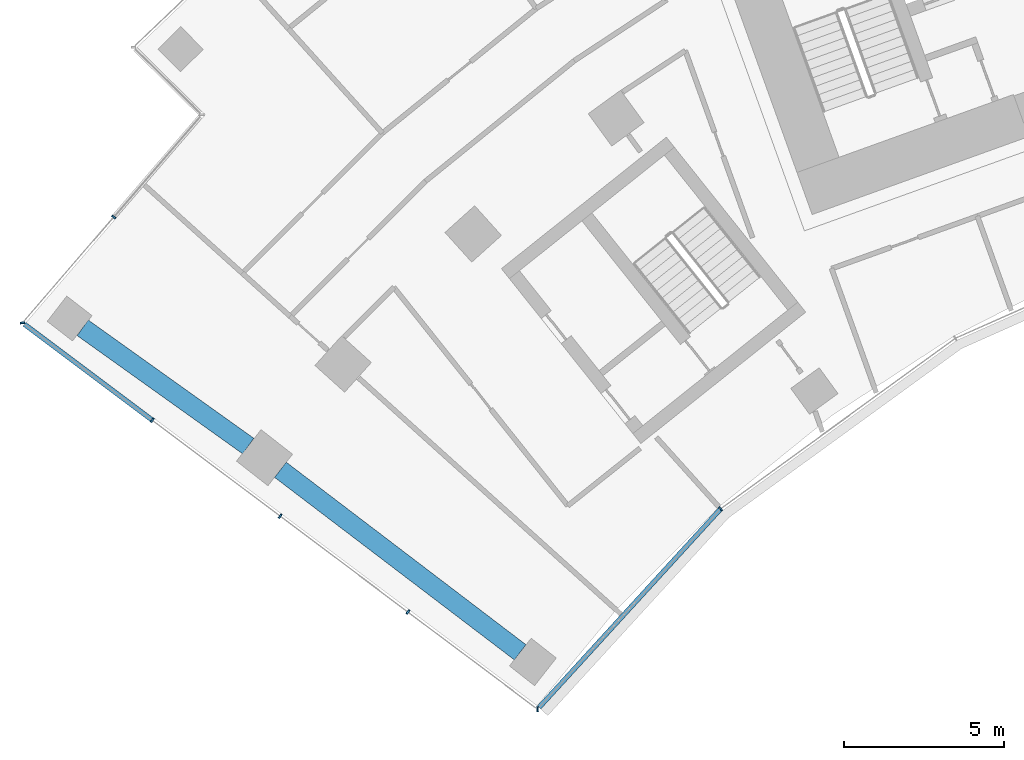
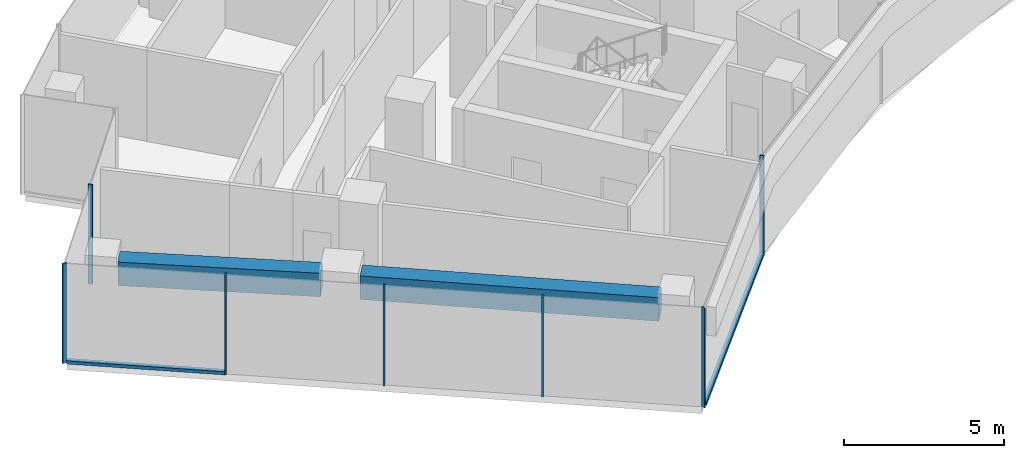
# One storey, part 2 of 20: 9 members, 2 beams, 3 elements without a shape of their own.
"""IFC4 building model written with IfcOpenShell, lengths in metres."""

from ifc_helpers import new_model, si_unit, direction, frame, origin, origin_2d, place, context, subcontext, project, spatial, rectangle, extrude, material, layer, layer_set, material_profile, profile_set, type_object, element, aggregate, save


model = new_model("IFC4")

# Units and contexts
model_context = context("Model", 3, precision=1e-05, world=origin(), true_north=direction((0.0, 1.0)))
body_context = subcontext(model_context, "Body", "Model", "MODEL_VIEW")
ifc_project = project(units=[si_unit("LENGTHUNIT", "METRE"), si_unit("AREAUNIT", "SQUARE_METRE"), si_unit("VOLUMEUNIT", "CUBIC_METRE"), si_unit("PLANEANGLEUNIT", "RADIAN"), si_unit("MASSUNIT", "GRAM", prefix="KILO")], contexts=[model_context])

# Site, building, storey
site_placement = place(None, origin())
site = spatial("IfcSite", under=ifc_project, at=site_placement, CompositionType="ELEMENT")
building_placement = place(site_placement, origin())
building = spatial("IfcBuilding", under=site, at=building_placement, Name="Stone Belt Terrace Tower", CompositionType="ELEMENT")
storey_placement = place(building_placement, frame((0.0, 0.0, 174.39990234375)))
storey = spatial("IfcBuildingStorey", under=building, at=storey_placement, Name="L42", CompositionType="ELEMENT", Elevation=174.39990234375)

# Curtain wall, members
ifc_material_1 = material(Name="Aluminium 6063-T6 anodised frame", Category="aluminium")
ifc_layer_1 = layer(ifc_material_1, 0.14990234375)
ifc_layer_set_1 = layer_set([ifc_layer_1], Name="CW-B unitised concave-face curtain wall")
curtain_wall_type_1 = type_object("IfcCurtainWallType", Name="CW-B unitised concave-face curtain wall", PredefinedType="NOTDEFINED", material=ifc_layer_set_1)
curtain_wall_1_placement = place(storey_placement, origin())
curtain_wall_1 = element("IfcCurtainWall", 1, at=curtain_wall_1_placement, inside=storey, type_object=curtain_wall_type_1, Name="CW-B concave face L42", PredefinedType="NOTDEFINED")
ifc_material_profile_1 = material_profile(ifc_material_1, rectangle(XDim=0.14990234375, YDim=0.050048828125, at=origin_2d()), Name="Aluminium 6063-T6 50x150")
ifc_profile_set_1 = profile_set([ifc_material_profile_1], Name="Aluminium 6063-T6 anodised frame")
member_type_1 = type_object("IfcMemberType", Name="CW-B mullion 50 x 150", PredefinedType="MULLION", material=ifc_profile_set_1)
member_1_placement = place(storey_placement, frame((-34.7900390625, 26.0, 0.0), z_axis=(0.0, 0.0, 1.0), x_axis=(-0.093180581986, 0.995649224949, 0.0)))
member_1 = element("IfcMember", 2, at=member_1_placement, type_object=member_type_1, Name="CW-B mullion 1", PredefinedType="MULLION", context=body_context, shape_type="SweptSolid", body=[
    extrude(rectangle(XDim=0.14990234375, YDim=0.050048828125, at=origin_2d()), origin(), (0.0, 0.0, 1.0), 3.800048828125),
])
member_2_placement = place(storey_placement, frame((-29.056884765625, 32.2705078125, 0.0), z_axis=(0.0, 0.0, 1.0), x_axis=(-0.666300886777, 0.745682994496, 0.0)))
member_2 = element("IfcMember", 3, at=member_2_placement, type_object=member_type_1, Name="CW-B mullion 2", PredefinedType="MULLION", context=body_context, shape_type="SweptSolid", body=[
    extrude(rectangle(XDim=0.14990234375, YDim=0.050048828125, at=origin_2d()), origin(), (0.0, 0.0, 1.0), 3.800048828125),
])
ifc_material_profile_2 = material_profile(ifc_material_1, rectangle(XDim=0.14990234375, YDim=0.1201171875, at=origin_2d()), Name="Aluminium 6063-T6 150x120")
ifc_profile_set_2 = profile_set([ifc_material_profile_2], Name="Aluminium 6063-T6 anodised frame")
member_type_2 = type_object("IfcMemberType", Name="CW-B transom 120 x 150", PredefinedType="USERDEFINED", material=ifc_profile_set_2)
member_3_placement = place(storey_placement, frame((-34.743408203125, 26.05078125, 0.06005859375), z_axis=(0.674757432231, 0.738039570517, 0.0), x_axis=(-0.738039570517, 0.674757432231, 0.0)))
member_3 = element("IfcMember", 4, at=member_3_placement, type_object=member_type_2, Name="CW-B transom 1.1", ObjectType="TRANSOM", PredefinedType="USERDEFINED", context=body_context, shape_type="SweptSolid", body=[
    extrude(rectangle(XDim=0.14990234375, YDim=0.1201171875, at=origin_2d()), origin(), (0.0, 0.0, 1.0), 8.39501953125),
])
aggregate(curtain_wall_1, [member_1, member_2, member_3])

# Curtain wall, member
ifc_layer_2 = layer(ifc_material_1, 0.14990234375)
ifc_layer_set_2 = layer_set([ifc_layer_2], Name="CW-C stick curtain wall, horn ends and notches")
curtain_wall_type_2 = type_object("IfcCurtainWallType", Name="CW-C stick curtain wall, horn ends and notches", PredefinedType="NOTDEFINED", material=ifc_layer_set_2)
curtain_wall_2_placement = place(storey_placement, origin())
curtain_wall_2 = element("IfcCurtainWall", 5, at=curtain_wall_2_placement, inside=storey, type_object=curtain_wall_type_2, Name="CW-C notch face L42", PredefinedType="NOTDEFINED")
ifc_material_profile_3 = material_profile(ifc_material_1, rectangle(XDim=0.14990234375, YDim=0.06005859375, at=origin_2d()), Name="Aluminium 6063-T6 60x150")
ifc_profile_set_3 = profile_set([ifc_material_profile_3], Name="Aluminium 6063-T6 anodised frame")
member_type_3 = type_object("IfcMemberType", Name="CW-C mullion 60 x 150", PredefinedType="MULLION", material=ifc_profile_set_3)
member_4_placement = place(storey_placement, frame((-48.05322265625, 41.40283203125, 0.0), z_axis=(0.0, 0.0, 1.0), x_axis=(0.757583847343, -0.652737860281, 0.0)))
member_4 = element("IfcMember", 6, at=member_4_placement, type_object=member_type_3, Name="CW-C mullion 2", PredefinedType="MULLION", context=body_context, shape_type="SweptSolid", body=[
    extrude(rectangle(XDim=0.14990234375, YDim=0.06005859375, at=origin_2d()), origin(), (0.0, 0.0, 1.0), 3.800048828125),
])
aggregate(curtain_wall_2, [member_4])

# Curtain wall, members
curtain_wall_3_placement = place(storey_placement, origin())
curtain_wall_3 = element("IfcCurtainWall", 7, at=curtain_wall_3_placement, inside=storey, type_object=curtain_wall_type_2, Name="CW-C end face L42", PredefinedType="NOTDEFINED")
member_5_placement = place(storey_placement, frame((-50.908447265625, 38.08935546875, 0.0), z_axis=(0.0, 0.0, 1.0), x_axis=(0.994169356535, 0.107829914807, 0.0)))
member_5 = element("IfcMember", 8, at=member_5_placement, type_object=member_type_3, Name="CW-C mullion 1", PredefinedType="MULLION", context=body_context, shape_type="SweptSolid", body=[
    extrude(rectangle(XDim=0.14990234375, YDim=0.06005859375, at=origin_2d()), origin(), (0.0, 0.0, 1.0), 3.800048828125),
])
member_6_placement = place(storey_placement, frame((-46.84423828125, 35.041015625, 0.0), z_axis=(0.0, 0.0, 1.0), x_axis=(0.600017992436, 0.799986505357, 0.0)))
member_6 = element("IfcMember", 9, at=member_6_placement, type_object=member_type_3, Name="CW-C mullion 2", PredefinedType="MULLION", context=body_context, shape_type="SweptSolid", body=[
    extrude(rectangle(XDim=0.14990234375, YDim=0.06005859375, at=origin_2d()), origin(), (0.0, 0.0, 1.0), 3.800048828125),
])
member_7_placement = place(storey_placement, frame((-42.84423828125, 32.041015625, 0.0), z_axis=(0.0, 0.0, 1.0), x_axis=(0.600017992436, 0.799986505357, 0.0)))
member_7 = element("IfcMember", 10, at=member_7_placement, type_object=member_type_3, Name="CW-C mullion 3", PredefinedType="MULLION", context=body_context, shape_type="SweptSolid", body=[
    extrude(rectangle(XDim=0.14990234375, YDim=0.06005859375, at=origin_2d()), origin(), (0.0, 0.0, 1.0), 3.800048828125),
])
member_8_placement = place(storey_placement, frame((-38.84423828125, 29.040771484375, 0.0), z_axis=(0.0, 0.0, 1.0), x_axis=(0.600017992436, 0.799986505357, 0.0)))
member_8 = element("IfcMember", 11, at=member_8_placement, type_object=member_type_3, Name="CW-C mullion 4", PredefinedType="MULLION", context=body_context, shape_type="SweptSolid", body=[
    extrude(rectangle(XDim=0.14990234375, YDim=0.06005859375, at=origin_2d()), origin(), (0.0, 0.0, 1.0), 3.800048828125),
])
ifc_material_profile_4 = material_profile(ifc_material_1, rectangle(XDim=0.14990234375, YDim=0.1201171875, at=origin_2d()), Name="Aluminium 6063-T6 150x120")
ifc_profile_set_4 = profile_set([ifc_material_profile_4], Name="Aluminium 6063-T6 anodised frame")
member_type_4 = type_object("IfcMemberType", Name="CW-C transom 120 x 150", PredefinedType="USERDEFINED", material=ifc_profile_set_4)
member_9_placement = place(storey_placement, frame((-50.84814453125, 38.044189453125, 0.06005859375), z_axis=(0.799988222323, -0.600015703248, 0.0), x_axis=(0.600015703248, 0.799988222323, 0.0)))
member_9 = element("IfcMember", 12, at=member_9_placement, type_object=member_type_4, Name="CW-C transom 1.1", ObjectType="TRANSOM", PredefinedType="USERDEFINED", context=body_context, shape_type="SweptSolid", body=[
    extrude(rectangle(XDim=0.14990234375, YDim=0.1201171875, at=origin_2d()), origin(), (0.0, 0.0, 1.0), 4.97509765625),
])
aggregate(curtain_wall_3, [member_5, member_6, member_7, member_8, member_9])

# Beams
ifc_material_2 = material(Name="Concrete B60", Category="concrete")
ifc_material_profile_5 = material_profile(ifc_material_2, rectangle(XDim=0.60009765625, YDim=0.89990234375, at=origin_2d()), Name="RC 600x900")
ifc_profile_set_5 = profile_set([ifc_material_profile_5], Name="Concrete B60")
beam_type = type_object("IfcBeamType", Name="Edge beam RC 600x900 B60", PredefinedType="SPANDREL", material=ifc_profile_set_5)
beam_1_placement = place(storey_placement, frame((-35.33203125, 27.779541015625, 3.030029296875), z_axis=(-0.795702028976, 0.605688270552, 0.0), x_axis=(-0.605688270552, -0.795702028976, 0.0)))
element("IfcBeam", 13, at=beam_1_placement, inside=storey, type_object=beam_type, Name="Edge beam L42 A P to Q", PredefinedType="SPANDREL", context=body_context, shape_type="SweptSolid", body=[
    extrude(rectangle(XDim=0.60009765625, YDim=0.89990234375, at=origin_2d()), origin(), (0.0, 0.0, 1.0), 9.430908203125),
])
beam_2_placement = place(storey_placement, frame((-43.842529296875, 34.23388671875, 3.030029296875), z_axis=(-0.813774908454, 0.581180177201, 0.0), x_axis=(-0.581180177201, -0.813774908454, 0.0)))
element("IfcBeam", 14, at=beam_2_placement, inside=storey, type_object=beam_type, Name="Edge beam L42 A Q to R", PredefinedType="SPANDREL", context=body_context, shape_type="SweptSolid", body=[
    extrude(rectangle(XDim=0.60009765625, YDim=0.89990234375, at=origin_2d()), origin(), (0.0, 0.0, 1.0), 6.369140625),
])

save(model, "model.ifc")
